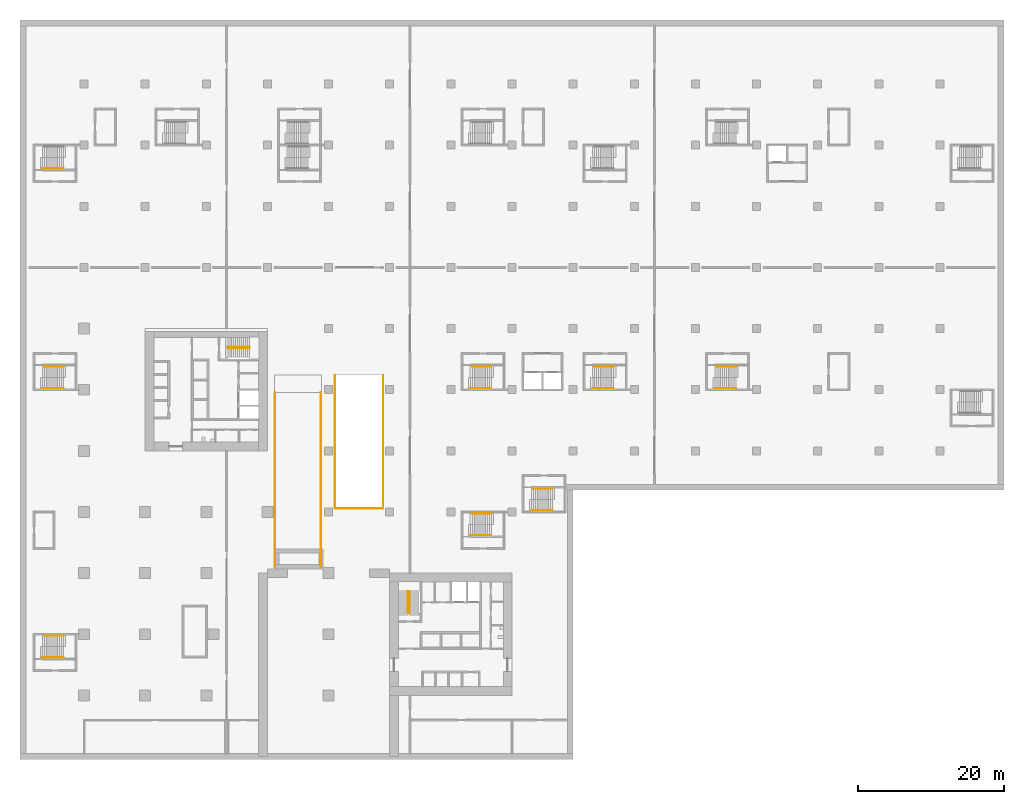
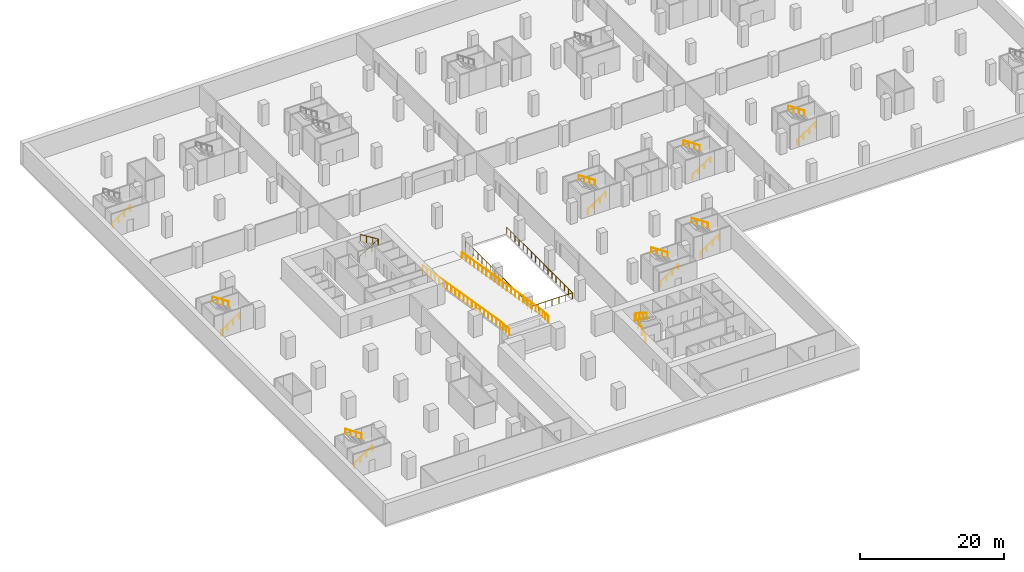
# One storey, part 16 of 18: 22 railings.
"""IFC4 building model written with IfcOpenShell, lengths in metres."""

from ifc_helpers import new_model, si_unit, direction, frame, origin, origin_2d, place, context, subcontext, project, spatial, circle, extrude, material, type_object, element, save


model = new_model("IFC4")

# Units and contexts
model_context = context("Model", 3, precision=1e-05, world=origin(), true_north=direction((0.0, 1.0)))
body_context = subcontext(model_context, "Body", "Model", "MODEL_VIEW")
ifc_project = project(units=[si_unit("LENGTHUNIT", "METRE"), si_unit("AREAUNIT", "SQUARE_METRE"), si_unit("VOLUMEUNIT", "CUBIC_METRE"), si_unit("PLANEANGLEUNIT", "RADIAN"), si_unit("MASSUNIT", "GRAM", prefix="KILO")], contexts=[model_context])

# Site, building, storey
site_placement = place(None, origin())
site = spatial("IfcSite", under=ifc_project, at=site_placement, CompositionType="ELEMENT")
building_placement = place(site_placement, origin())
building = spatial("IfcBuilding", under=site, at=building_placement, Name="Vermilion Gate Residences", CompositionType="ELEMENT")
storey_placement = place(building_placement, frame((0.0, 0.0, -4.0)))
storey = spatial("IfcBuildingStorey", under=building, at=storey_placement, Name="B1", CompositionType="ELEMENT", Elevation=-4.0)

# Railings
ifc_material_1 = material(Name="Steel", Category="steel")
railing_type_1 = type_object("IfcRailingType", Name="RAMP GUARD 1100 (AMENITY)", PredefinedType="GUARDRAIL", material=ifc_material_1)
for number, where, name in (
    (1, (26.25, 26.0, 4.0), "Ramp 1 guard west"),
    (2, (32.550048828125, 26.0, 4.0), "Ramp 1 guard east"),
):
    element("IfcRailing", number, at=place(storey_placement, frame(where)), inside=storey, type_object=railing_type_1, Name=name, PredefinedType="GUARDRAIL", context=body_context, shape_type="SweptSolid", body=[
        extrude(circle(Radius=0.02392578125, at=origin_2d()), frame((0.0, 0.0, 1.076171875), z_axis=(0.0, 0.996547156423, -0.083028700011), x_axis=(-1.0, 0.0, 0.0)), (0.0, 0.0, 1.0), 2.408203125),
        extrude(circle(Radius=0.02099609375, at=origin_2d()), origin(), (0.0, 0.0, 1.0), 1.052001953125),
        extrude(circle(Radius=0.02099609375, at=origin_2d()), frame((0.0, 0.800048828125, -0.066650390625)), (0.0, 0.0, 1.0), 1.052001953125),
        extrude(circle(Radius=0.02099609375, at=origin_2d()), frame((0.0, 1.599853515625, -0.13330078125)), (0.0, 0.0, 1.0), 1.052001953125),
        extrude(circle(Radius=0.02099609375, at=origin_2d()), frame((0.0, 2.39990234375, -0.199951171875)), (0.0, 0.0, 1.0), 1.052001953125),
    ])
railing_1_placement = place(storey_placement, frame((26.25, 28.39990234375, 3.800048828125)))
element("IfcRailing", 3, at=railing_1_placement, inside=storey, type_object=railing_type_1, Name="Ramp 1 guard west", PredefinedType="GUARDRAIL", context=body_context, shape_type="SweptSolid", body=[
    extrude(circle(Radius=0.02392578125, at=origin_2d()), frame((0.0, 0.0, 1.076171875), z_axis=(0.0, 0.986393321179, -0.164402603184), x_axis=(-1.0, 0.0, 0.0)), (0.0, 0.0, 1.0), 21.89794921875),
    extrude(circle(Radius=0.02099609375, at=origin_2d()), origin(), (0.0, 0.0, 1.0), 1.052001953125),
    extrude(circle(Radius=0.02099609375, at=origin_2d()), frame((0.0, 1.136962890625, -0.189453125)), (0.0, 0.0, 1.0), 1.052001953125),
    extrude(circle(Radius=0.02099609375, at=origin_2d()), frame((0.0, 2.273681640625, -0.37890625)), (0.0, 0.0, 1.0), 1.052001953125),
    extrude(circle(Radius=0.02099609375, at=origin_2d()), frame((0.0, 3.41064453125, -0.568359375)), (0.0, 0.0, 1.0), 1.052001953125),
    extrude(circle(Radius=0.02099609375, at=origin_2d()), frame((0.0, 4.54736328125, -0.7578125)), (0.0, 0.0, 1.0), 1.052001953125),
    extrude(circle(Radius=0.02099609375, at=origin_2d()), frame((0.0, 5.684326171875, -0.947509765625)), (0.0, 0.0, 1.0), 1.052001953125),
    extrude(circle(Radius=0.02099609375, at=origin_2d()), frame((0.0, 6.821044921875, -1.136962890625)), (0.0, 0.0, 1.0), 1.052001953125),
    extrude(circle(Radius=0.02099609375, at=origin_2d()), frame((0.0, 7.9580078125, -1.326416015625)), (0.0, 0.0, 1.0), 1.052001953125),
    extrude(circle(Radius=0.02099609375, at=origin_2d()), frame((0.0, 9.0947265625, -1.515869140625)), (0.0, 0.0, 1.0), 1.052001953125),
    extrude(circle(Radius=0.02099609375, at=origin_2d()), frame((0.0, 10.231689453125, -1.705322265625)), (0.0, 0.0, 1.0), 1.052001953125),
    extrude(circle(Radius=0.02099609375, at=origin_2d()), frame((0.0, 11.368408203125, -1.894775390625)), (0.0, 0.0, 1.0), 1.052001953125),
    extrude(circle(Radius=0.02099609375, at=origin_2d()), frame((0.0, 12.50537109375, -2.084228515625)), (0.0, 0.0, 1.0), 1.052001953125),
    extrude(circle(Radius=0.02099609375, at=origin_2d()), frame((0.0, 13.64208984375, -2.273681640625)), (0.0, 0.0, 1.0), 1.052001953125),
    extrude(circle(Radius=0.02099609375, at=origin_2d()), frame((0.0, 14.779052734375, -2.463134765625)), (0.0, 0.0, 1.0), 1.052001953125),
    extrude(circle(Radius=0.02099609375, at=origin_2d()), frame((0.0, 15.915771484375, -2.652587890625)), (0.0, 0.0, 1.0), 1.052001953125),
    extrude(circle(Radius=0.02099609375, at=origin_2d()), frame((0.0, 17.052734375, -2.84228515625)), (0.0, 0.0, 1.0), 1.052001953125),
    extrude(circle(Radius=0.02099609375, at=origin_2d()), frame((0.0, 18.189453125, -3.03173828125)), (0.0, 0.0, 1.0), 1.052001953125),
    extrude(circle(Radius=0.02099609375, at=origin_2d()), frame((0.0, 19.326416015625, -3.22119140625)), (0.0, 0.0, 1.0), 1.052001953125),
    extrude(circle(Radius=0.02099609375, at=origin_2d()), frame((0.0, 20.463134765625, -3.41064453125)), (0.0, 0.0, 1.0), 1.052001953125),
    extrude(circle(Radius=0.02099609375, at=origin_2d()), frame((0.0, 21.60009765625, -3.60009765625)), (0.0, 0.0, 1.0), 1.052001953125),
])
railing_2_placement = place(storey_placement, frame((32.550048828125, 28.39990234375, 3.800048828125)))
element("IfcRailing", 4, at=railing_2_placement, inside=storey, type_object=railing_type_1, Name="Ramp 1 guard east", PredefinedType="GUARDRAIL", context=body_context, shape_type="SweptSolid", body=[
    extrude(circle(Radius=0.02392578125, at=origin_2d()), frame((0.0, 0.0, 1.076171875), z_axis=(0.0, 0.986393321179, -0.164402603184), x_axis=(-1.0, 0.0, 0.0)), (0.0, 0.0, 1.0), 21.89794921875),
    extrude(circle(Radius=0.02099609375, at=origin_2d()), origin(), (0.0, 0.0, 1.0), 1.052001953125),
    extrude(circle(Radius=0.02099609375, at=origin_2d()), frame((0.0, 1.136962890625, -0.189453125)), (0.0, 0.0, 1.0), 1.052001953125),
    extrude(circle(Radius=0.02099609375, at=origin_2d()), frame((0.0, 2.273681640625, -0.37890625)), (0.0, 0.0, 1.0), 1.052001953125),
    extrude(circle(Radius=0.02099609375, at=origin_2d()), frame((0.0, 3.41064453125, -0.568359375)), (0.0, 0.0, 1.0), 1.052001953125),
    extrude(circle(Radius=0.02099609375, at=origin_2d()), frame((0.0, 4.54736328125, -0.7578125)), (0.0, 0.0, 1.0), 1.052001953125),
    extrude(circle(Radius=0.02099609375, at=origin_2d()), frame((0.0, 5.684326171875, -0.947509765625)), (0.0, 0.0, 1.0), 1.052001953125),
    extrude(circle(Radius=0.02099609375, at=origin_2d()), frame((0.0, 6.821044921875, -1.136962890625)), (0.0, 0.0, 1.0), 1.052001953125),
    extrude(circle(Radius=0.02099609375, at=origin_2d()), frame((0.0, 7.9580078125, -1.326416015625)), (0.0, 0.0, 1.0), 1.052001953125),
    extrude(circle(Radius=0.02099609375, at=origin_2d()), frame((0.0, 9.0947265625, -1.515869140625)), (0.0, 0.0, 1.0), 1.052001953125),
    extrude(circle(Radius=0.02099609375, at=origin_2d()), frame((0.0, 10.231689453125, -1.705322265625)), (0.0, 0.0, 1.0), 1.052001953125),
    extrude(circle(Radius=0.02099609375, at=origin_2d()), frame((0.0, 11.368408203125, -1.894775390625)), (0.0, 0.0, 1.0), 1.052001953125),
    extrude(circle(Radius=0.02099609375, at=origin_2d()), frame((0.0, 12.50537109375, -2.084228515625)), (0.0, 0.0, 1.0), 1.052001953125),
    extrude(circle(Radius=0.02099609375, at=origin_2d()), frame((0.0, 13.64208984375, -2.273681640625)), (0.0, 0.0, 1.0), 1.052001953125),
    extrude(circle(Radius=0.02099609375, at=origin_2d()), frame((0.0, 14.779052734375, -2.463134765625)), (0.0, 0.0, 1.0), 1.052001953125),
    extrude(circle(Radius=0.02099609375, at=origin_2d()), frame((0.0, 15.915771484375, -2.652587890625)), (0.0, 0.0, 1.0), 1.052001953125),
    extrude(circle(Radius=0.02099609375, at=origin_2d()), frame((0.0, 17.052734375, -2.84228515625)), (0.0, 0.0, 1.0), 1.052001953125),
    extrude(circle(Radius=0.02099609375, at=origin_2d()), frame((0.0, 18.189453125, -3.03173828125)), (0.0, 0.0, 1.0), 1.052001953125),
    extrude(circle(Radius=0.02099609375, at=origin_2d()), frame((0.0, 19.326416015625, -3.22119140625)), (0.0, 0.0, 1.0), 1.052001953125),
    extrude(circle(Radius=0.02099609375, at=origin_2d()), frame((0.0, 20.463134765625, -3.41064453125)), (0.0, 0.0, 1.0), 1.052001953125),
    extrude(circle(Radius=0.02099609375, at=origin_2d()), frame((0.0, 21.60009765625, -3.60009765625)), (0.0, 0.0, 1.0), 1.052001953125),
])
railing_3_placement = place(storey_placement, frame((34.5, 52.39990234375, 0.0)))
element("IfcRailing", 5, at=railing_3_placement, inside=storey, type_object=railing_type_1, Name="Ramp 2 opening guard", PredefinedType="GUARDRAIL", context=body_context, shape_type="SweptSolid", body=[
    extrude(circle(Radius=0.02392578125, at=origin_2d()), frame((0.0, 0.0, 1.076171875), z_axis=(0.0, -1.0, 0.0), x_axis=(1.0, 0.0, 0.0)), (0.0, 0.0, 1.0), 18.2998046875),
    extrude(circle(Radius=0.02392578125, at=origin_2d()), frame((0.0, -18.2998046875, 1.076171875), z_axis=(1.0, 0.0, 0.0), x_axis=(0.0, 1.0, 0.0)), (0.0, 0.0, 1.0), 6.60009765625),
    extrude(circle(Radius=0.02392578125, at=origin_2d()), frame((6.60009765625, -18.2998046875, 1.076171875), z_axis=(0.0, 1.0, 0.0), x_axis=(-1.0, 0.0, 0.0)), (0.0, 0.0, 1.0), 18.2998046875),
    extrude(circle(Radius=0.02099609375, at=origin_2d()), origin(), (0.0, 0.0, 1.0), 1.052001953125),
    extrude(circle(Radius=0.02099609375, at=origin_2d()), frame((0.0, -1.143798828125, 0.0)), (0.0, 0.0, 1.0), 1.052001953125),
    extrude(circle(Radius=0.02099609375, at=origin_2d()), frame((0.0, -2.28759765625, 0.0)), (0.0, 0.0, 1.0), 1.052001953125),
    extrude(circle(Radius=0.02099609375, at=origin_2d()), frame((0.0, -3.43115234375, 0.0)), (0.0, 0.0, 1.0), 1.052001953125),
    extrude(circle(Radius=0.02099609375, at=origin_2d()), frame((0.0, -4.574951171875, 0.0)), (0.0, 0.0, 1.0), 1.052001953125),
    extrude(circle(Radius=0.02099609375, at=origin_2d()), frame((0.0, -5.71875, 0.0)), (0.0, 0.0, 1.0), 1.052001953125),
    extrude(circle(Radius=0.02099609375, at=origin_2d()), frame((0.0, -6.8623046875, 0.0)), (0.0, 0.0, 1.0), 1.052001953125),
    extrude(circle(Radius=0.02099609375, at=origin_2d()), frame((0.0, -8.006103515625, 0.0)), (0.0, 0.0, 1.0), 1.052001953125),
    extrude(circle(Radius=0.02099609375, at=origin_2d()), frame((0.0, -9.14990234375, 0.0)), (0.0, 0.0, 1.0), 1.052001953125),
    extrude(circle(Radius=0.02099609375, at=origin_2d()), frame((0.0, -10.293701171875, 0.0)), (0.0, 0.0, 1.0), 1.052001953125),
    extrude(circle(Radius=0.02099609375, at=origin_2d()), frame((0.0, -11.4375, 0.0)), (0.0, 0.0, 1.0), 1.052001953125),
    extrude(circle(Radius=0.02099609375, at=origin_2d()), frame((0.0, -12.5810546875, 0.0)), (0.0, 0.0, 1.0), 1.052001953125),
    extrude(circle(Radius=0.02099609375, at=origin_2d()), frame((0.0, -13.724853515625, 0.0)), (0.0, 0.0, 1.0), 1.052001953125),
    extrude(circle(Radius=0.02099609375, at=origin_2d()), frame((0.0, -14.86865234375, 0.0)), (0.0, 0.0, 1.0), 1.052001953125),
    extrude(circle(Radius=0.02099609375, at=origin_2d()), frame((0.0, -16.01220703125, 0.0)), (0.0, 0.0, 1.0), 1.052001953125),
    extrude(circle(Radius=0.02099609375, at=origin_2d()), frame((0.0, -17.156005859375, 0.0)), (0.0, 0.0, 1.0), 1.052001953125),
    extrude(circle(Radius=0.02099609375, at=origin_2d()), frame((0.0, -18.2998046875, 0.0)), (0.0, 0.0, 1.0), 1.052001953125),
    extrude(circle(Radius=0.02099609375, at=origin_2d()), frame((1.10009765625, -18.2998046875, 0.0)), (0.0, 0.0, 1.0), 1.052001953125),
    extrude(circle(Radius=0.02099609375, at=origin_2d()), frame((2.199951171875, -18.2998046875, 0.0)), (0.0, 0.0, 1.0), 1.052001953125),
    extrude(circle(Radius=0.02099609375, at=origin_2d()), frame((3.300048828125, -18.2998046875, 0.0)), (0.0, 0.0, 1.0), 1.052001953125),
    extrude(circle(Radius=0.02099609375, at=origin_2d()), frame((4.400146484375, -18.2998046875, 0.0)), (0.0, 0.0, 1.0), 1.052001953125),
    extrude(circle(Radius=0.02099609375, at=origin_2d()), frame((5.5, -18.2998046875, 0.0)), (0.0, 0.0, 1.0), 1.052001953125),
    extrude(circle(Radius=0.02099609375, at=origin_2d()), frame((6.60009765625, -18.2998046875, 0.0)), (0.0, 0.0, 1.0), 1.052001953125),
    extrude(circle(Radius=0.02099609375, at=origin_2d()), frame((6.60009765625, -17.156005859375, 0.0)), (0.0, 0.0, 1.0), 1.052001953125),
    extrude(circle(Radius=0.02099609375, at=origin_2d()), frame((6.60009765625, -16.01220703125, 0.0)), (0.0, 0.0, 1.0), 1.052001953125),
    extrude(circle(Radius=0.02099609375, at=origin_2d()), frame((6.60009765625, -14.86865234375, 0.0)), (0.0, 0.0, 1.0), 1.052001953125),
    extrude(circle(Radius=0.02099609375, at=origin_2d()), frame((6.60009765625, -13.724853515625, 0.0)), (0.0, 0.0, 1.0), 1.052001953125),
    extrude(circle(Radius=0.02099609375, at=origin_2d()), frame((6.60009765625, -12.5810546875, 0.0)), (0.0, 0.0, 1.0), 1.052001953125),
    extrude(circle(Radius=0.02099609375, at=origin_2d()), frame((6.60009765625, -11.4375, 0.0)), (0.0, 0.0, 1.0), 1.052001953125),
    extrude(circle(Radius=0.02099609375, at=origin_2d()), frame((6.60009765625, -10.293701171875, 0.0)), (0.0, 0.0, 1.0), 1.052001953125),
    extrude(circle(Radius=0.02099609375, at=origin_2d()), frame((6.60009765625, -9.14990234375, 0.0)), (0.0, 0.0, 1.0), 1.052001953125),
    extrude(circle(Radius=0.02099609375, at=origin_2d()), frame((6.60009765625, -8.006103515625, 0.0)), (0.0, 0.0, 1.0), 1.052001953125),
    extrude(circle(Radius=0.02099609375, at=origin_2d()), frame((6.60009765625, -6.8623046875, 0.0)), (0.0, 0.0, 1.0), 1.052001953125),
    extrude(circle(Radius=0.02099609375, at=origin_2d()), frame((6.60009765625, -5.71875, 0.0)), (0.0, 0.0, 1.0), 1.052001953125),
    extrude(circle(Radius=0.02099609375, at=origin_2d()), frame((6.60009765625, -4.574951171875, 0.0)), (0.0, 0.0, 1.0), 1.052001953125),
    extrude(circle(Radius=0.02099609375, at=origin_2d()), frame((6.60009765625, -3.43115234375, 0.0)), (0.0, 0.0, 1.0), 1.052001953125),
    extrude(circle(Radius=0.02099609375, at=origin_2d()), frame((6.60009765625, -2.28759765625, 0.0)), (0.0, 0.0, 1.0), 1.052001953125),
    extrude(circle(Radius=0.02099609375, at=origin_2d()), frame((6.60009765625, -1.143798828125, 0.0)), (0.0, 0.0, 1.0), 1.052001953125),
    extrude(circle(Radius=0.02099609375, at=origin_2d()), frame((6.60009765625, 0.0, 0.0)), (0.0, 0.0, 1.0), 1.052001953125),
])
ifc_material_2 = material(Name="Steel S355", Category="steel")
railing_type_2 = type_object("IfcRailingType", Name="STAIR GUARD 1100 STEEL", PredefinedType="GUARDRAIL", material=ifc_material_2)
railing_4_placement = place(storey_placement, frame((44.5, 19.75, 0.166748046875)))
element("IfcRailing", 6, at=railing_4_placement, inside=storey, type_object=railing_type_2, Name="Stair well guard STA1-B1", PredefinedType="GUARDRAIL", context=body_context, shape_type="SweptSolid", body=[
    extrude(circle(Radius=0.02392578125, at=origin_2d()), frame((0.0, 0.0, 1.076171875), z_axis=(0.0, 0.85094421596, 0.525256072145), x_axis=(-1.0, 0.0, 0.0)), (0.0, 0.0, 1.0), 3.490234375),
    extrude(circle(Radius=0.02392578125, at=origin_2d()), frame((0.0, 2.969970703125, 2.9091796875), z_axis=(0.767990643491, 0.0, 0.640461061666), x_axis=(0.0, 1.0, 0.0)), (0.0, 0.0, 1.0), 0.26025390625),
    extrude(circle(Radius=0.02392578125, at=origin_2d()), frame((0.199951171875, 2.969970703125, 3.076171875), z_axis=(0.0, -0.85094421596, 0.525256072145), x_axis=(1.0, 0.0, 0.0)), (0.0, 0.0, 1.0), 3.490234375),
    extrude(circle(Radius=0.02099609375, at=origin_2d()), origin(), (0.0, 0.0, 1.0), 1.052001953125),
    extrude(circle(Radius=0.02099609375, at=origin_2d()), frame((0.0, 0.989990234375, 0.611083984375)), (0.0, 0.0, 1.0), 1.052001953125),
    extrude(circle(Radius=0.02099609375, at=origin_2d()), frame((0.0, 1.97998046875, 1.22216796875)), (0.0, 0.0, 1.0), 1.052001953125),
    extrude(circle(Radius=0.02099609375, at=origin_2d()), frame((0.0, 2.969970703125, 1.833251953125)), (0.0, 0.0, 1.0), 1.052001953125),
    extrude(circle(Radius=0.02099609375, at=origin_2d()), frame((0.199951171875, 2.969970703125, 2.0)), (0.0, 0.0, 1.0), 1.052001953125),
    extrude(circle(Radius=0.02099609375, at=origin_2d()), frame((0.199951171875, 1.97998046875, 2.611083984375)), (0.0, 0.0, 1.0), 1.052001953125),
    extrude(circle(Radius=0.02099609375, at=origin_2d()), frame((0.199951171875, 0.989990234375, 3.22216796875)), (0.0, 0.0, 1.0), 1.052001953125),
    extrude(circle(Radius=0.02099609375, at=origin_2d()), frame((0.199951171875, 0.0, 3.833251953125)), (0.0, 0.0, 1.0), 1.052001953125),
])
railing_5_placement = place(storey_placement, frame((19.75, 56.300048828125, 0.166748046875)))
element("IfcRailing", 7, at=railing_5_placement, inside=storey, type_object=railing_type_2, Name="Stair well guard STB1-B1", PredefinedType="GUARDRAIL", context=body_context, shape_type="SweptSolid", body=[
    extrude(circle(Radius=0.02392578125, at=origin_2d()), frame((0.0, 0.0, 1.076171875), z_axis=(0.85094421596, 0.0, 0.525256072145), x_axis=(0.0, 1.0, 0.0)), (0.0, 0.0, 1.0), 3.490234375),
    extrude(circle(Radius=0.02392578125, at=origin_2d()), frame((2.969970703125, 0.0, 2.9091796875), z_axis=(0.0, -0.767990643491, 0.640461061666), x_axis=(1.0, 0.0, 0.0)), (0.0, 0.0, 1.0), 0.26025390625),
    extrude(circle(Radius=0.02392578125, at=origin_2d()), frame((2.969970703125, -0.199951171875, 3.076171875), z_axis=(-0.85094421596, 0.0, 0.525256072145), x_axis=(0.0, -1.0, 0.0)), (0.0, 0.0, 1.0), 3.490234375),
    extrude(circle(Radius=0.02099609375, at=origin_2d()), origin(), (0.0, 0.0, 1.0), 1.052001953125),
    extrude(circle(Radius=0.02099609375, at=origin_2d()), frame((0.989990234375, 0.0, 0.611083984375)), (0.0, 0.0, 1.0), 1.052001953125),
    extrude(circle(Radius=0.02099609375, at=origin_2d()), frame((1.97998046875, 0.0, 1.22216796875)), (0.0, 0.0, 1.0), 1.052001953125),
    extrude(circle(Radius=0.02099609375, at=origin_2d()), frame((2.969970703125, 0.0, 1.833251953125)), (0.0, 0.0, 1.0), 1.052001953125),
    extrude(circle(Radius=0.02099609375, at=origin_2d()), frame((2.969970703125, -0.199951171875, 2.0)), (0.0, 0.0, 1.0), 1.052001953125),
    extrude(circle(Radius=0.02099609375, at=origin_2d()), frame((1.97998046875, -0.199951171875, 2.611083984375)), (0.0, 0.0, 1.0), 1.052001953125),
    extrude(circle(Radius=0.02099609375, at=origin_2d()), frame((0.989990234375, -0.199951171875, 3.22216796875)), (0.0, 0.0, 1.0), 1.052001953125),
    extrude(circle(Radius=0.02099609375, at=origin_2d()), frame((0.0, -0.199951171875, 3.833251953125)), (0.0, 0.0, 1.0), 1.052001953125),
])
ifc_material_3 = material(Name="Steel", Category="steel")
railing_type_3 = type_object("IfcRailingType", Name="STAIR HANDRAIL 900 (AMENITY)", PredefinedType="HANDRAIL", material=ifc_material_3)
railing_6_placement = place(storey_placement, frame((-5.699951171875, 13.60009765625, 0.173828125)))
element("IfcRailing", 8, at=railing_6_placement, inside=storey, type_object=railing_type_3, Name="Stair handrail", PredefinedType="HANDRAIL", context=body_context, shape_type="SweptSolid", body=[
    extrude(circle(Radius=0.02392578125, at=origin_2d()), frame((0.0, 0.0, 0.8759765625), z_axis=(0.831175961304, 0.0, 0.556009461565), x_axis=(0.0, 1.0, 0.0)), (0.0, 0.0, 1.0), 3.440673828125),
    extrude(circle(Radius=0.02099609375, at=origin_2d()), origin(), (0.0, 0.0, 1.0), 0.851806640625),
    extrude(circle(Radius=0.02099609375, at=origin_2d()), frame((0.953369140625, 0.0, 0.6376953125)), (0.0, 0.0, 1.0), 0.851806640625),
    extrude(circle(Radius=0.02099609375, at=origin_2d()), frame((1.906494140625, 0.0, 1.275390625)), (0.0, 0.0, 1.0), 0.851806640625),
    extrude(circle(Radius=0.02099609375, at=origin_2d()), frame((2.85986328125, 0.0, 1.9130859375)), (0.0, 0.0, 1.0), 0.851806640625),
])
railing_7_placement = place(storey_placement, frame((-2.840087890625, 16.60009765625, 2.260986328125)))
element("IfcRailing", 9, at=railing_7_placement, inside=storey, type_object=railing_type_3, Name="Stair handrail", PredefinedType="HANDRAIL", context=body_context, shape_type="SweptSolid", body=[
    extrude(circle(Radius=0.02392578125, at=origin_2d()), frame((0.0, 0.0, 0.8759765625), z_axis=(-0.831196721983, 0.0, 0.555978425269), x_axis=(0.0, -1.0, 0.0)), (0.0, 0.0, 1.0), 3.1279296875),
    extrude(circle(Radius=0.02099609375, at=origin_2d()), origin(), (0.0, 0.0, 1.0), 0.851806640625),
    extrude(circle(Radius=0.02099609375, at=origin_2d()), frame((-0.86669921875, 0.0, 0.57958984375)), (0.0, 0.0, 1.0), 0.851806640625),
    extrude(circle(Radius=0.02099609375, at=origin_2d()), frame((-1.733154296875, 0.0, 1.159423828125)), (0.0, 0.0, 1.0), 0.851806640625),
    extrude(circle(Radius=0.02099609375, at=origin_2d()), frame((-2.599853515625, 0.0, 1.739013671875)), (0.0, 0.0, 1.0), 0.851806640625),
])
railing_8_placement = place(storey_placement, frame((-5.699951171875, 50.60009765625, 0.173828125)))
element("IfcRailing", 10, at=railing_8_placement, inside=storey, type_object=railing_type_3, Name="Stair handrail", PredefinedType="HANDRAIL", context=body_context, shape_type="SweptSolid", body=[
    extrude(circle(Radius=0.02392578125, at=origin_2d()), frame((0.0, 0.0, 0.8759765625), z_axis=(0.831175961304, 0.0, 0.556009461565), x_axis=(0.0, 1.0, 0.0)), (0.0, 0.0, 1.0), 3.440673828125),
    extrude(circle(Radius=0.02099609375, at=origin_2d()), origin(), (0.0, 0.0, 1.0), 0.851806640625),
    extrude(circle(Radius=0.02099609375, at=origin_2d()), frame((0.953369140625, 0.0, 0.6376953125)), (0.0, 0.0, 1.0), 0.851806640625),
    extrude(circle(Radius=0.02099609375, at=origin_2d()), frame((1.906494140625, 0.0, 1.275390625)), (0.0, 0.0, 1.0), 0.851806640625),
    extrude(circle(Radius=0.02099609375, at=origin_2d()), frame((2.85986328125, 0.0, 1.9130859375)), (0.0, 0.0, 1.0), 0.851806640625),
])
railing_9_placement = place(storey_placement, frame((-2.840087890625, 53.60009765625, 2.260986328125)))
element("IfcRailing", 11, at=railing_9_placement, inside=storey, type_object=railing_type_3, Name="Stair handrail", PredefinedType="HANDRAIL", context=body_context, shape_type="SweptSolid", body=[
    extrude(circle(Radius=0.02392578125, at=origin_2d()), frame((0.0, 0.0, 0.8759765625), z_axis=(-0.831196721983, 0.0, 0.555978425269), x_axis=(0.0, -1.0, 0.0)), (0.0, 0.0, 1.0), 3.1279296875),
    extrude(circle(Radius=0.02099609375, at=origin_2d()), origin(), (0.0, 0.0, 1.0), 0.851806640625),
    extrude(circle(Radius=0.02099609375, at=origin_2d()), frame((-0.86669921875, 0.0, 0.57958984375)), (0.0, 0.0, 1.0), 0.851806640625),
    extrude(circle(Radius=0.02099609375, at=origin_2d()), frame((-1.733154296875, 0.0, 1.159423828125)), (0.0, 0.0, 1.0), 0.851806640625),
    extrude(circle(Radius=0.02099609375, at=origin_2d()), frame((-2.599853515625, 0.0, 1.739013671875)), (0.0, 0.0, 1.0), 0.851806640625),
])
railing_10_placement = place(storey_placement, frame((69.89990234375, 50.60009765625, 0.173828125)))
element("IfcRailing", 12, at=railing_10_placement, inside=storey, type_object=railing_type_3, Name="Stair handrail", PredefinedType="HANDRAIL", context=body_context, shape_type="SweptSolid", body=[
    extrude(circle(Radius=0.02392578125, at=origin_2d()), frame((0.0, 0.0, 0.8759765625), z_axis=(0.831197895095, 0.0, 0.555976671444), x_axis=(0.0, 1.0, 0.0)), (0.0, 0.0, 1.0), 3.44091796875),
    extrude(circle(Radius=0.02099609375, at=origin_2d()), origin(), (0.0, 0.0, 1.0), 0.851806640625),
    extrude(circle(Radius=0.02099609375, at=origin_2d()), frame((0.953369140625, 0.0, 0.6376953125)), (0.0, 0.0, 1.0), 0.851806640625),
    extrude(circle(Radius=0.02099609375, at=origin_2d()), frame((1.90673828125, 0.0, 1.275390625)), (0.0, 0.0, 1.0), 0.851806640625),
    extrude(circle(Radius=0.02099609375, at=origin_2d()), frame((2.860107421875, 0.0, 1.9130859375)), (0.0, 0.0, 1.0), 0.851806640625),
])
railing_11_placement = place(storey_placement, frame((72.760009765625, 53.60009765625, 2.260986328125)))
element("IfcRailing", 13, at=railing_11_placement, inside=storey, type_object=railing_type_3, Name="Stair handrail", PredefinedType="HANDRAIL", context=body_context, shape_type="SweptSolid", body=[
    extrude(circle(Radius=0.02392578125, at=origin_2d()), frame((0.0, 0.0, 0.8759765625), z_axis=(-0.831220847055, 0.0, 0.555942356204), x_axis=(0.0, -1.0, 0.0)), (0.0, 0.0, 1.0), 3.1279296875),
    extrude(circle(Radius=0.02099609375, at=origin_2d()), origin(), (0.0, 0.0, 1.0), 0.851806640625),
    extrude(circle(Radius=0.02099609375, at=origin_2d()), frame((-0.86669921875, 0.0, 0.57958984375)), (0.0, 0.0, 1.0), 0.851806640625),
    extrude(circle(Radius=0.02099609375, at=origin_2d()), frame((-1.7333984375, 0.0, 1.159423828125)), (0.0, 0.0, 1.0), 0.851806640625),
    extrude(circle(Radius=0.02099609375, at=origin_2d()), frame((-2.60009765625, 0.0, 1.739013671875)), (0.0, 0.0, 1.0), 0.851806640625),
])
railing_12_placement = place(storey_placement, frame((53.10009765625, 30.39990234375, 0.173828125)))
element("IfcRailing", 14, at=railing_12_placement, inside=storey, type_object=railing_type_3, Name="Stair handrail", PredefinedType="HANDRAIL", context=body_context, shape_type="SweptSolid", body=[
    extrude(circle(Radius=0.02392578125, at=origin_2d()), frame((0.0, 0.0, 0.8759765625), z_axis=(0.831175961304, 0.0, 0.556009461565), x_axis=(0.0, 1.0, 0.0)), (0.0, 0.0, 1.0), 3.440673828125),
    extrude(circle(Radius=0.02099609375, at=origin_2d()), origin(), (0.0, 0.0, 1.0), 0.851806640625),
    extrude(circle(Radius=0.02099609375, at=origin_2d()), frame((0.953369140625, 0.0, 0.6376953125)), (0.0, 0.0, 1.0), 0.851806640625),
    extrude(circle(Radius=0.02099609375, at=origin_2d()), frame((1.906494140625, 0.0, 1.275390625)), (0.0, 0.0, 1.0), 0.851806640625),
    extrude(circle(Radius=0.02099609375, at=origin_2d()), frame((2.85986328125, 0.0, 1.9130859375)), (0.0, 0.0, 1.0), 0.851806640625),
])
railing_13_placement = place(storey_placement, frame((55.9599609375, 33.39990234375, 2.260986328125)))
element("IfcRailing", 15, at=railing_13_placement, inside=storey, type_object=railing_type_3, Name="Stair handrail", PredefinedType="HANDRAIL", context=body_context, shape_type="SweptSolid", body=[
    extrude(circle(Radius=0.02392578125, at=origin_2d()), frame((0.0, 0.0, 0.8759765625), z_axis=(-0.831196721983, 0.0, 0.555978425269), x_axis=(0.0, -1.0, 0.0)), (0.0, 0.0, 1.0), 3.1279296875),
    extrude(circle(Radius=0.02099609375, at=origin_2d()), origin(), (0.0, 0.0, 1.0), 0.851806640625),
    extrude(circle(Radius=0.02099609375, at=origin_2d()), frame((-0.86669921875, 0.0, 0.57958984375)), (0.0, 0.0, 1.0), 0.851806640625),
    extrude(circle(Radius=0.02099609375, at=origin_2d()), frame((-1.733154296875, 0.0, 1.159423828125)), (0.0, 0.0, 1.0), 0.851806640625),
    extrude(circle(Radius=0.02099609375, at=origin_2d()), frame((-2.599853515625, 0.0, 1.739013671875)), (0.0, 0.0, 1.0), 0.851806640625),
])
railing_14_placement = place(storey_placement, frame((86.699951171875, 50.60009765625, 0.173828125)))
element("IfcRailing", 16, at=railing_14_placement, inside=storey, type_object=railing_type_3, Name="Stair handrail", PredefinedType="HANDRAIL", context=body_context, shape_type="SweptSolid", body=[
    extrude(circle(Radius=0.02392578125, at=origin_2d()), frame((0.0, 0.0, 0.8759765625), z_axis=(0.831197895095, 0.0, 0.555976671444), x_axis=(0.0, 1.0, 0.0)), (0.0, 0.0, 1.0), 3.44091796875),
    extrude(circle(Radius=0.02099609375, at=origin_2d()), origin(), (0.0, 0.0, 1.0), 0.851806640625),
    extrude(circle(Radius=0.02099609375, at=origin_2d()), frame((0.953369140625, 0.0, 0.6376953125)), (0.0, 0.0, 1.0), 0.851806640625),
    extrude(circle(Radius=0.02099609375, at=origin_2d()), frame((1.90673828125, 0.0, 1.275390625)), (0.0, 0.0, 1.0), 0.851806640625),
    extrude(circle(Radius=0.02099609375, at=origin_2d()), frame((2.860107421875, 0.0, 1.9130859375)), (0.0, 0.0, 1.0), 0.851806640625),
])
railing_15_placement = place(storey_placement, frame((89.56005859375, 53.60009765625, 2.260986328125)))
element("IfcRailing", 17, at=railing_15_placement, inside=storey, type_object=railing_type_3, Name="Stair handrail", PredefinedType="HANDRAIL", context=body_context, shape_type="SweptSolid", body=[
    extrude(circle(Radius=0.02392578125, at=origin_2d()), frame((0.0, 0.0, 0.8759765625), z_axis=(-0.831220847055, 0.0, 0.555942356204), x_axis=(0.0, -1.0, 0.0)), (0.0, 0.0, 1.0), 3.1279296875),
    extrude(circle(Radius=0.02099609375, at=origin_2d()), origin(), (0.0, 0.0, 1.0), 0.851806640625),
    extrude(circle(Radius=0.02099609375, at=origin_2d()), frame((-0.86669921875, 0.0, 0.57958984375)), (0.0, 0.0, 1.0), 0.851806640625),
    extrude(circle(Radius=0.02099609375, at=origin_2d()), frame((-1.7333984375, 0.0, 1.159423828125)), (0.0, 0.0, 1.0), 0.851806640625),
    extrude(circle(Radius=0.02099609375, at=origin_2d()), frame((-2.60009765625, 0.0, 1.739013671875)), (0.0, 0.0, 1.0), 0.851806640625),
])
for number, where, name in (
    (18, (-5.699951171875, 80.800048828125, 0.173828125), "Stair handrail"),
    (19, (53.10009765625, 50.60009765625, 0.173828125), "Stair handrail"),
):
    element("IfcRailing", number, at=place(storey_placement, frame(where)), inside=storey, type_object=railing_type_3, Name=name, PredefinedType="HANDRAIL", context=body_context, shape_type="SweptSolid", body=[
        extrude(circle(Radius=0.02392578125, at=origin_2d()), frame((0.0, 0.0, 0.8759765625), z_axis=(0.831175961304, 0.0, 0.556009461565), x_axis=(0.0, 1.0, 0.0)), (0.0, 0.0, 1.0), 3.440673828125),
        extrude(circle(Radius=0.02099609375, at=origin_2d()), origin(), (0.0, 0.0, 1.0), 0.851806640625),
        extrude(circle(Radius=0.02099609375, at=origin_2d()), frame((0.953369140625, 0.0, 0.6376953125)), (0.0, 0.0, 1.0), 0.851806640625),
        extrude(circle(Radius=0.02099609375, at=origin_2d()), frame((1.906494140625, 0.0, 1.275390625)), (0.0, 0.0, 1.0), 0.851806640625),
        extrude(circle(Radius=0.02099609375, at=origin_2d()), frame((2.85986328125, 0.0, 1.9130859375)), (0.0, 0.0, 1.0), 0.851806640625),
    ])
railing_16_placement = place(storey_placement, frame((55.9599609375, 53.60009765625, 2.260986328125)))
element("IfcRailing", 20, at=railing_16_placement, inside=storey, type_object=railing_type_3, Name="Stair handrail", PredefinedType="HANDRAIL", context=body_context, shape_type="SweptSolid", body=[
    extrude(circle(Radius=0.02392578125, at=origin_2d()), frame((0.0, 0.0, 0.8759765625), z_axis=(-0.831196721983, 0.0, 0.555978425269), x_axis=(0.0, -1.0, 0.0)), (0.0, 0.0, 1.0), 3.1279296875),
    extrude(circle(Radius=0.02099609375, at=origin_2d()), origin(), (0.0, 0.0, 1.0), 0.851806640625),
    extrude(circle(Radius=0.02099609375, at=origin_2d()), frame((-0.86669921875, 0.0, 0.57958984375)), (0.0, 0.0, 1.0), 0.851806640625),
    extrude(circle(Radius=0.02099609375, at=origin_2d()), frame((-1.733154296875, 0.0, 1.159423828125)), (0.0, 0.0, 1.0), 0.851806640625),
    extrude(circle(Radius=0.02099609375, at=origin_2d()), frame((-2.599853515625, 0.0, 1.739013671875)), (0.0, 0.0, 1.0), 0.851806640625),
])
railing_17_placement = place(storey_placement, frame((61.5, 33.800048828125, 0.173828125)))
element("IfcRailing", 21, at=railing_17_placement, inside=storey, type_object=railing_type_3, Name="Stair handrail", PredefinedType="HANDRAIL", context=body_context, shape_type="SweptSolid", body=[
    extrude(circle(Radius=0.02392578125, at=origin_2d()), frame((0.0, 0.0, 0.8759765625), z_axis=(0.831197895095, 0.0, 0.555976671444), x_axis=(0.0, 1.0, 0.0)), (0.0, 0.0, 1.0), 3.44091796875),
    extrude(circle(Radius=0.02099609375, at=origin_2d()), origin(), (0.0, 0.0, 1.0), 0.851806640625),
    extrude(circle(Radius=0.02099609375, at=origin_2d()), frame((0.953369140625, 0.0, 0.6376953125)), (0.0, 0.0, 1.0), 0.851806640625),
    extrude(circle(Radius=0.02099609375, at=origin_2d()), frame((1.90673828125, 0.0, 1.275390625)), (0.0, 0.0, 1.0), 0.851806640625),
    extrude(circle(Radius=0.02099609375, at=origin_2d()), frame((2.860107421875, 0.0, 1.9130859375)), (0.0, 0.0, 1.0), 0.851806640625),
])
railing_18_placement = place(storey_placement, frame((64.360107421875, 36.800048828125, 2.260986328125)))
element("IfcRailing", 22, at=railing_18_placement, inside=storey, type_object=railing_type_3, Name="Stair handrail", PredefinedType="HANDRAIL", context=body_context, shape_type="SweptSolid", body=[
    extrude(circle(Radius=0.02392578125, at=origin_2d()), frame((0.0, 0.0, 0.8759765625), z_axis=(-0.831220847055, 0.0, 0.555942356204), x_axis=(0.0, -1.0, 0.0)), (0.0, 0.0, 1.0), 3.1279296875),
    extrude(circle(Radius=0.02099609375, at=origin_2d()), origin(), (0.0, 0.0, 1.0), 0.851806640625),
    extrude(circle(Radius=0.02099609375, at=origin_2d()), frame((-0.86669921875, 0.0, 0.57958984375)), (0.0, 0.0, 1.0), 0.851806640625),
    extrude(circle(Radius=0.02099609375, at=origin_2d()), frame((-1.7333984375, 0.0, 1.159423828125)), (0.0, 0.0, 1.0), 0.851806640625),
    extrude(circle(Radius=0.02099609375, at=origin_2d()), frame((-2.60009765625, 0.0, 1.739013671875)), (0.0, 0.0, 1.0), 0.851806640625),
])

save(model, "model.ifc")
